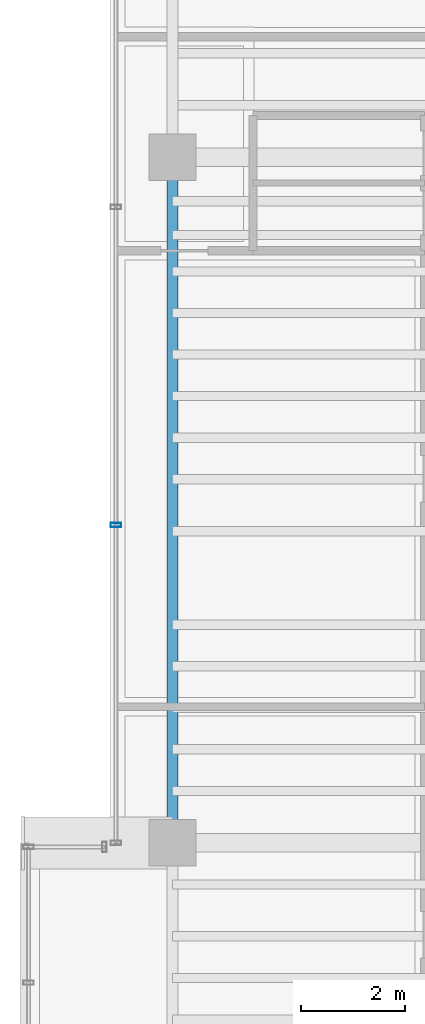
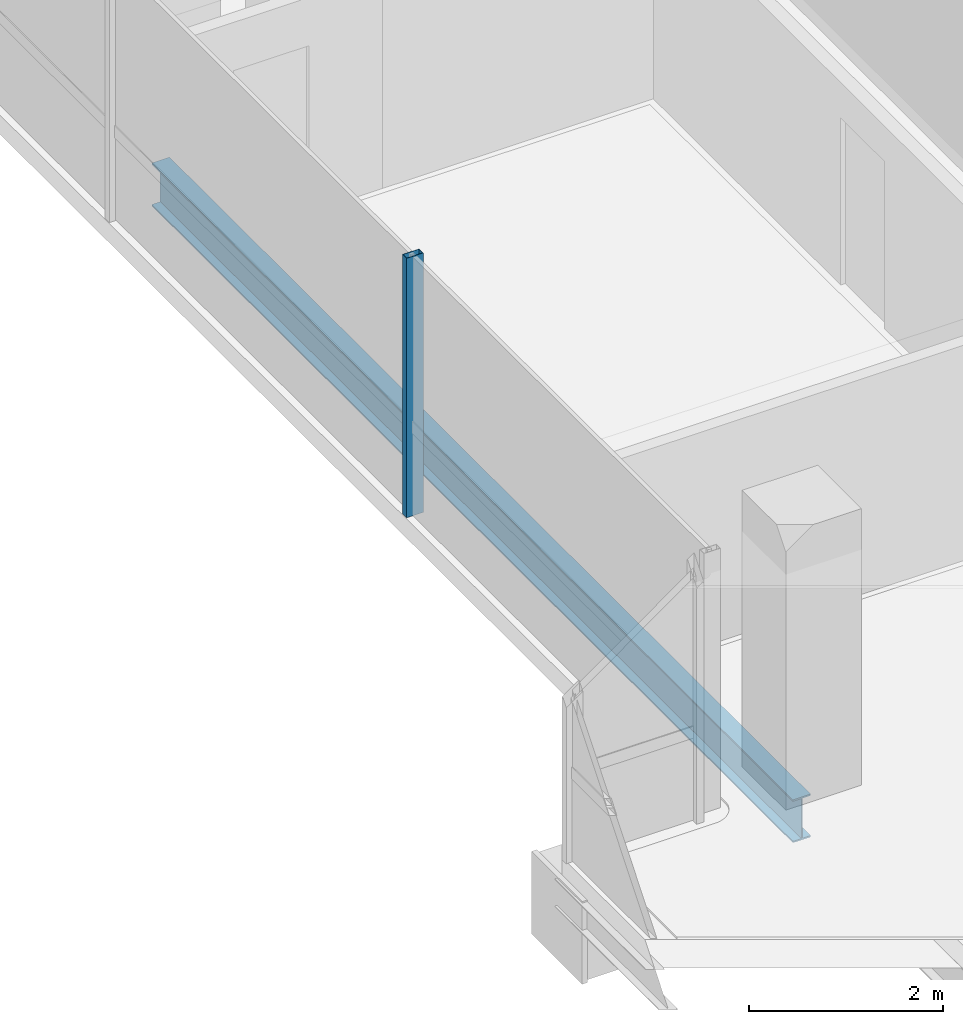
# One storey, part 7 of 22: 1 beam, 1 member, 1 element without a shape of its own.
"""IFC4 building model written with IfcOpenShell, lengths in metres."""

from ifc_helpers import new_model, si_unit, direction, frame, origin, origin_2d, place, context, subcontext, project, spatial, hollow_rectangle, i_section, extrude, source, transform, mapped, material, material_profile, profile_set, type_object, element, aggregate, save


model = new_model("IFC4")

# Units and contexts
model_context = context("Model", 3, precision=1e-05, world=origin(), true_north=direction((0.0, 1.0)))
body_context = subcontext(model_context, "Body", "Model", "MODEL_VIEW")
ifc_project = project(units=[si_unit("LENGTHUNIT", "METRE"), si_unit("AREAUNIT", "SQUARE_METRE"), si_unit("VOLUMEUNIT", "CUBIC_METRE"), si_unit("PLANEANGLEUNIT", "RADIAN"), si_unit("MASSUNIT", "GRAM", prefix="KILO")], contexts=[model_context])

# Site, building, storey
site_placement = place(None, origin())
site = spatial("IfcSite", under=ifc_project, at=site_placement, CompositionType="ELEMENT")
building_placement = place(site_placement, origin())
building = spatial("IfcBuilding", under=site, at=building_placement, Name="Valdorenza Pilgrim Sanctuary Tower", CompositionType="ELEMENT")
storey_placement = place(building_placement, frame((0.0, 0.0, 237.0)))
storey = spatial("IfcBuildingStorey", under=building, at=storey_placement, Name="L61", CompositionType="ELEMENT", Elevation=237.0)

# Beam
ifc_material_1 = material(Name="Steel ASTM A992 Grade 50", Category="steel")
ifc_material_profile_1 = material_profile(ifc_material_1, i_section(OverallWidth=0.2109375, OverallDepth=0.5390625, WebThickness=0.01171875, FlangeThickness=0.018798828125, at=origin_2d()), Name="W21X73")
ifc_profile_set_1 = profile_set([ifc_material_profile_1], Name="Steel ASTM A992 Grade 50")
beam_type = type_object("IfcBeamType", Name="STR-BM-SPN-W21B", PredefinedType="SPANDREL", material=ifc_profile_set_1)
shared_shape_1 = source(origin(), body_context, "Body", "SweptSolid", [
    extrude(i_section(OverallWidth=0.2109375, OverallDepth=0.5390625, WebThickness=0.01171875, FlangeThickness=0.018798828125, at=origin_2d()), origin(), (0.0, 0.0, 1.0), 13.2001953125),
])
beam_placement = place(storey_placement, frame((-29.800048828125, -2.60009765625, -0.509521484375), z_axis=(0.0, 1.0, 0.0), x_axis=(-1.0, 0.0, 0.0)))
element("IfcBeam", 1, at=beam_placement, inside=storey, type_object=beam_type, Name="L61 Spandrel Beam WA-W-M0N1", PredefinedType="SPANDREL", context=body_context, shape_type="MappedRepresentation", body=[
    mapped(shared_shape_1, transform((0.0, 0.0, 0.0), x_axis=(1.0, 0.0, 0.0), y_axis=(0.0, 1.0, 0.0), z_axis=(0.0, 0.0, 1.0), scale=1.0)),
])

# Curtain wall, member
ifc_material_2 = material(Name="Curtain-wall IGU glazing", Category="glass")
curtain_wall_type = type_object("IfcCurtainWallType", Name="CW-SYS-02", PredefinedType="NOTDEFINED", material=ifc_material_2)
curtain_wall_placement = place(storey_placement, origin())
curtain_wall = element("IfcCurtainWall", 2, at=curtain_wall_placement, inside=storey, type_object=curtain_wall_type, Name="L61 Curtain Wall CW-L61-1-1S2", PredefinedType="NOTDEFINED")
ifc_material_3 = material(Name="Anodised aluminium AW-6060", Category="aluminium")
ifc_material_profile_2 = material_profile(ifc_material_3, hollow_rectangle(XDim=0.0849609375, YDim=0.199951171875, WallThickness=0.0048828125, at=origin_2d()), Name="ALU-M 200x85x5")
ifc_profile_set_2 = profile_set([ifc_material_profile_2], Name="Anodised aluminium AW-6060")
member_type = type_object("IfcMemberType", Name="CW-MUL-02", PredefinedType="MULLION", material=ifc_profile_set_2)
shared_shape_2 = source(origin(), body_context, "Body", "SweptSolid", [
    extrude(hollow_rectangle(XDim=0.0849609375, YDim=0.199951171875, WallThickness=0.0048828125, at=origin_2d()), origin(), (0.0, 0.0, 1.0), 3.260009765625),
])
member_placement = place(storey_placement, frame((-30.889892578125, 3.519287109375, 0.0), z_axis=(0.0, 0.0, 1.0), x_axis=(0.0, 1.0, 0.0)))
member = element("IfcMember", 3, at=member_placement, type_object=member_type, Name="CW-L61-1-1S2 Mullion 2", PredefinedType="MULLION", context=body_context, shape_type="MappedRepresentation", body=[
    mapped(shared_shape_2, transform((0.0, 0.0, 0.0), x_axis=(1.0, 0.0, 0.0), y_axis=(0.0, 1.0, 0.0), z_axis=(0.0, 0.0, 1.0), scale=1.0)),
])
aggregate(curtain_wall, [member])

save(model, "model.ifc")
